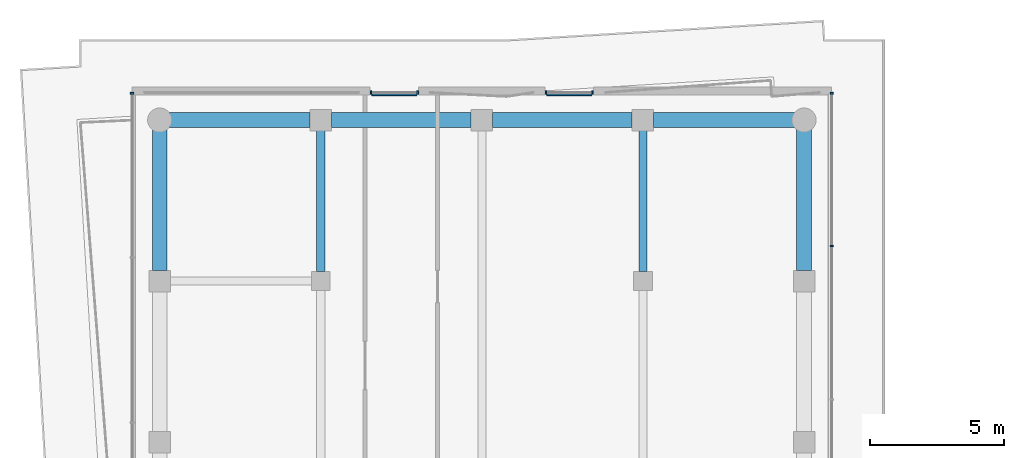
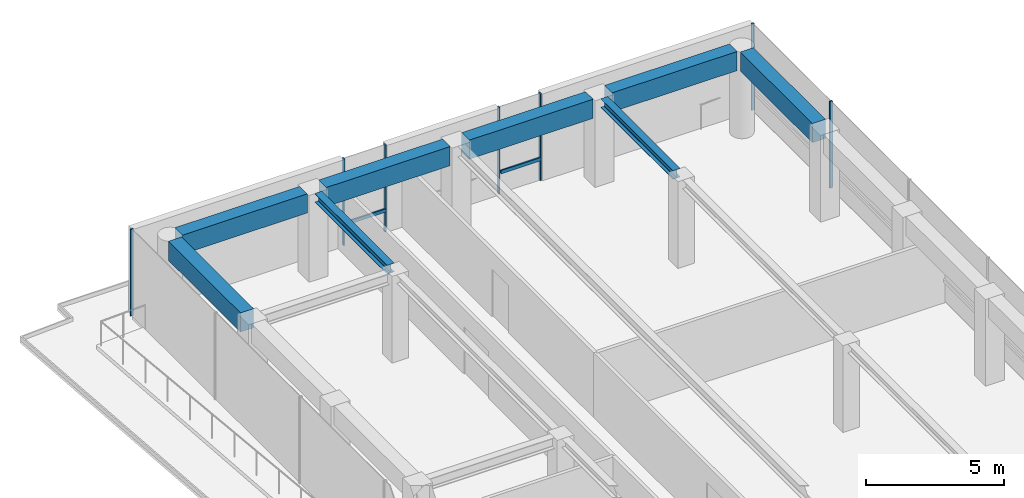
# One storey, part 15 of 21: 9 members, 8 beams, 4 elements without a shape of their own.
"""IFC4 building model written with IfcOpenShell, lengths in metres."""

from ifc_helpers import new_model, si_unit, direction, frame, origin, origin_2d, place, context, subcontext, project, spatial, rectangle, i_section, extrude, material, layer, layer_set, material_profile, profile_set, type_object, element, aggregate, save


model = new_model("IFC4")

# Units and contexts
model_context = context("Model", 3, precision=1e-05, world=origin(), true_north=direction((0.0, 1.0)))
body_context = subcontext(model_context, "Body", "Model", "MODEL_VIEW")
ifc_project = project(units=[si_unit("LENGTHUNIT", "METRE"), si_unit("AREAUNIT", "SQUARE_METRE"), si_unit("VOLUMEUNIT", "CUBIC_METRE"), si_unit("PLANEANGLEUNIT", "RADIAN"), si_unit("MASSUNIT", "GRAM", prefix="KILO")], contexts=[model_context])

# Site, building, storey
site_placement = place(None, origin())
site = spatial("IfcSite", under=ifc_project, at=site_placement, CompositionType="ELEMENT")
building_placement = place(site_placement, origin())
building = spatial("IfcBuilding", under=site, at=building_placement, Name="Welwitschia Terrace Campus", CompositionType="ELEMENT")
storey_placement = place(building_placement, frame((0.0, 0.0, 213.800048828125)))
storey = spatial("IfcBuildingStorey", under=building, at=storey_placement, Name="L47", CompositionType="ELEMENT", Elevation=213.800048828125)

# Beams
ifc_material_1 = material(Name="Steel S355", Category="steel")
ifc_material_profile_1 = material_profile(ifc_material_1, i_section(OverallWidth=0.300048828125, OverallDepth=0.389892578125, WebThickness=0.010986328125, FlangeThickness=0.01904296875, FilletRadius=0.027099609375, at=origin_2d()))
ifc_profile_set_1 = profile_set([ifc_material_profile_1], Name="Steel S355")
beam_type_1 = type_object("IfcBeamType", Name="Interior girder HE 400 A", PredefinedType="BEAM", material=ifc_profile_set_1)
for number, where, z_axis, x_axis, name in (
    (1, (6.0, 64.3505859375, 3.655029296875), (0.0, 1.0, 0.0), (-1.0, 0.0, 0.0), "Girder GB5"),
    (2, (18.0, 64.3505859375, 3.655029296875), (0.0, 1.0, 0.0), (-1.0, 0.0, 0.0), "Girder GB5"),
):
    element("IfcBeam", number, at=place(storey_placement, frame(where, z_axis=z_axis, x_axis=x_axis)), inside=storey, type_object=beam_type_1, Name=name, PredefinedType="BEAM", context=body_context, shape_type="SweptSolid", body=[
        extrude(i_section(OverallWidth=0.300048828125, OverallDepth=0.389892578125, WebThickness=0.010986328125, FlangeThickness=0.01904296875, FilletRadius=0.027099609375, at=origin_2d()), origin(), (0.0, 0.0, 1.0), 5.259033203125),
    ])

# Curtain wall, members
ifc_material_2 = material(Name="Bronze anodised aluminium", Category="aluminium")
ifc_layer = layer(ifc_material_2, 0.1201171875)
ifc_layer_set = layer_set([ifc_layer], Name="Bronze anodised aluminium")
curtain_wall_type = type_object("IfcCurtainWallType", Name="Curtain wall CW2 tower 6000", PredefinedType="NOTDEFINED", material=ifc_layer_set)
curtain_wall_1_placement = place(storey_placement, origin())
curtain_wall_1 = element("IfcCurtainWall", 3, at=curtain_wall_1_placement, inside=storey, type_object=curtain_wall_type, Name="CW L47.6.0", PredefinedType="NOTDEFINED")
ifc_material_3 = material(Name="Bronze anodised aluminium", Category="aluminium")
ifc_material_profile_2 = material_profile(ifc_material_3, rectangle(XDim=0.1201171875, YDim=0.06005859375, at=origin_2d()))
ifc_profile_set_2 = profile_set([ifc_material_profile_2], Name="Bronze anodised aluminium")
member_type_1 = type_object("IfcMemberType", Name="Mullion 60x120", PredefinedType="MULLION", material=ifc_profile_set_2)
member_1_placement = place(storey_placement, frame((25.030029296875, 65.312744140625, 0.0), z_axis=(0.0, 0.0, 1.0), x_axis=(-1.0, 0.0, 0.0)))
member_1 = element("IfcMember", 4, at=member_1_placement, type_object=member_type_1, Name="Mullion L47.6.0.5", PredefinedType="MULLION", context=body_context, shape_type="SweptSolid", body=[
    extrude(rectangle(XDim=0.1201171875, YDim=0.06005859375, at=origin_2d()), origin(), (0.0, 0.0, 1.0), 3.849853515625),
])
member_2_placement = place(storey_placement, frame((25.030029296875, 71.0, 0.0), z_axis=(0.0, 0.0, 1.0), x_axis=(-1.0, 0.0, 0.0)))
member_2 = element("IfcMember", 5, at=member_2_placement, type_object=member_type_1, Name="Mullion L47.6.0.6", PredefinedType="MULLION", context=body_context, shape_type="SweptSolid", body=[
    extrude(rectangle(XDim=0.1201171875, YDim=0.06005859375, at=origin_2d()), origin(), (0.0, 0.0, 1.0), 3.849853515625),
])
aggregate(curtain_wall_1, [member_1, member_2])

curtain_wall_2_placement = place(storey_placement, origin())
curtain_wall_2 = element("IfcCurtainWall", 6, at=curtain_wall_2_placement, inside=storey, type_object=curtain_wall_type, Name="CW L47.7.S0", PredefinedType="NOTDEFINED")
member_3_placement = place(storey_placement, frame((16.12744140625, 71.030029296875, 0.0), z_axis=(0.0, 0.0, 1.0), x_axis=(0.0, -1.0, 0.0)))
member_3 = element("IfcMember", 7, at=member_3_placement, type_object=member_type_1, Name="Mullion L47.7.S0.0", PredefinedType="MULLION", context=body_context, shape_type="SweptSolid", body=[
    extrude(rectangle(XDim=0.1201171875, YDim=0.06005859375, at=origin_2d()), origin(), (0.0, 0.0, 1.0), 3.849853515625),
])
member_4_placement = place(storey_placement, frame((14.387451171875, 71.030029296875, 0.0), z_axis=(0.0, 0.0, 1.0), x_axis=(0.0, -1.0, 0.0)))
member_4 = element("IfcMember", 8, at=member_4_placement, type_object=member_type_1, Name="Mullion L47.7.S0.1", PredefinedType="MULLION", context=body_context, shape_type="SweptSolid", body=[
    extrude(rectangle(XDim=0.1201171875, YDim=0.06005859375, at=origin_2d()), origin(), (0.0, 0.0, 1.0), 3.849853515625),
])

curtain_wall_3_placement = place(storey_placement, origin())
curtain_wall_3 = element("IfcCurtainWall", 9, at=curtain_wall_3_placement, inside=storey, type_object=curtain_wall_type, Name="CW L47.7.S1", PredefinedType="NOTDEFINED")
member_5_placement = place(storey_placement, frame((9.612548828125, 71.030029296875, 0.0), z_axis=(0.0, 0.0, 1.0), x_axis=(0.0, -1.0, 0.0)))
member_5 = element("IfcMember", 10, at=member_5_placement, type_object=member_type_1, Name="Mullion L47.7.S1.0", PredefinedType="MULLION", context=body_context, shape_type="SweptSolid", body=[
    extrude(rectangle(XDim=0.1201171875, YDim=0.06005859375, at=origin_2d()), origin(), (0.0, 0.0, 1.0), 3.849853515625),
])
member_6_placement = place(storey_placement, frame((7.87255859375, 71.030029296875, 0.0), z_axis=(0.0, 0.0, 1.0), x_axis=(0.0, -1.0, 0.0)))
member_6 = element("IfcMember", 11, at=member_6_placement, type_object=member_type_1, Name="Mullion L47.7.S1.1", PredefinedType="MULLION", context=body_context, shape_type="SweptSolid", body=[
    extrude(rectangle(XDim=0.1201171875, YDim=0.06005859375, at=origin_2d()), origin(), (0.0, 0.0, 1.0), 3.849853515625),
])

# Curtain wall, member
curtain_wall_4_placement = place(storey_placement, origin())
curtain_wall_4 = element("IfcCurtainWall", 12, at=curtain_wall_4_placement, inside=storey, type_object=curtain_wall_type, Name="CW L47.8.0", PredefinedType="NOTDEFINED")
member_7_placement = place(storey_placement, frame((-1.030029296875, 71.0, 0.0), z_axis=(0.0, 0.0, 1.0), x_axis=(1.0, 0.0, 0.0)))
member_7 = element("IfcMember", 13, at=member_7_placement, type_object=member_type_1, Name="Mullion L47.8.0.0", PredefinedType="MULLION", context=body_context, shape_type="SweptSolid", body=[
    extrude(rectangle(XDim=0.1201171875, YDim=0.06005859375, at=origin_2d()), origin(), (0.0, 0.0, 1.0), 3.849853515625),
])
aggregate(curtain_wall_4, [member_7])

# Beams
ifc_material_4 = material(Name="Concrete C50/60", Category="concrete")
ifc_material_profile_3 = material_profile(ifc_material_4, rectangle(XDim=0.550048828125, YDim=0.85009765625, at=origin_2d()))
ifc_profile_set_3 = profile_set([ifc_material_profile_3], Name="Concrete C50/60")
beam_type_2 = type_object("IfcBeamType", Name="Ring spandrel 550x850", PredefinedType="SPANDREL", material=ifc_profile_set_3)
for number, where, z_axis, x_axis, name in (
    (14, (24.0, 64.400390625, 3.425048828125), (0.0, 1.0, 0.0), (-1.0, 0.0, 0.0), "Spandrel SP3"),
    (15, (23.64306640625, 70.0, 3.425048828125), (-1.0, 0.0, 0.0), (0.0, -1.0, 0.0), "Spandrel SP3"),
):
    element("IfcBeam", number, at=place(storey_placement, frame(where, z_axis=z_axis, x_axis=x_axis)), inside=storey, type_object=beam_type_2, Name=name, PredefinedType="SPANDREL", context=body_context, shape_type="SweptSolid", body=[
        extrude(rectangle(XDim=0.550048828125, YDim=0.85009765625, at=origin_2d()), origin(), (0.0, 0.0, 1.0), 5.24267578125),
    ])
for number, where, z_axis, x_axis, name in (
    (16, (17.599609375, 70.0, 3.425048828125), (-1.0, 0.0, 0.0), (0.0, -1.0, 0.0), "Spandrel SP3"),
    (17, (11.599609375, 70.0, 3.425048828125), (-1.0, 0.0, 0.0), (0.0, -1.0, 0.0), "Spandrel SP3"),
):
    element("IfcBeam", number, at=place(storey_placement, frame(where, z_axis=z_axis, x_axis=x_axis)), inside=storey, type_object=beam_type_2, Name=name, PredefinedType="SPANDREL", context=body_context, shape_type="SweptSolid", body=[
        extrude(rectangle(XDim=0.550048828125, YDim=0.85009765625, at=origin_2d()), origin(), (0.0, 0.0, 1.0), 5.19921875),
    ])
for number, where, z_axis, x_axis, name in (
    (18, (5.599609375, 70.0, 3.425048828125), (-1.0, 0.0, 0.0), (0.0, -1.0, 0.0), "Spandrel SP3"),
    (19, (0.0, 69.64306640625, 3.425048828125), (0.0, -1.0, 0.0), (1.0, 0.0, 0.0), "Spandrel SP3"),
):
    element("IfcBeam", number, at=place(storey_placement, frame(where, z_axis=z_axis, x_axis=x_axis)), inside=storey, type_object=beam_type_2, Name=name, PredefinedType="SPANDREL", context=body_context, shape_type="SweptSolid", body=[
        extrude(rectangle(XDim=0.550048828125, YDim=0.85009765625, at=origin_2d()), origin(), (0.0, 0.0, 1.0), 5.24267578125),
    ])

# Member
ifc_material_5 = material(Name="Bronze anodised aluminium", Category="aluminium")
ifc_material_profile_4 = material_profile(ifc_material_5, rectangle(XDim=0.06005859375, YDim=0.14990234375, at=origin_2d()))
ifc_profile_set_4 = profile_set([ifc_material_profile_4], Name="Bronze anodised aluminium")
member_type_2 = type_object("IfcMemberType", Name="Transom 60x150", PredefinedType="USERDEFINED", material=ifc_profile_set_4)
member_8_placement = place(storey_placement, frame((16.097412109375, 70.93994140625, 1.0), z_axis=(-1.0, 0.0, 0.0), x_axis=(0.0, -1.0, 0.0)))
member_8 = element("IfcMember", 20, at=member_8_placement, type_object=member_type_2, Name="Transom L47.7.S0", ObjectType="TRANSOM", PredefinedType="USERDEFINED", context=body_context, shape_type="SweptSolid", body=[
    extrude(rectangle(XDim=0.06005859375, YDim=0.14990234375, at=origin_2d()), origin(), (0.0, 0.0, 1.0), 1.679931640625),
])

aggregate(curtain_wall_2, [member_3, member_4, member_8])

member_9_placement = place(storey_placement, frame((9.58251953125, 70.93994140625, 1.0), z_axis=(-1.0, 0.0, 0.0), x_axis=(0.0, -1.0, 0.0)))
member_9 = element("IfcMember", 21, at=member_9_placement, type_object=member_type_2, Name="Transom L47.7.S1", ObjectType="TRANSOM", PredefinedType="USERDEFINED", context=body_context, shape_type="SweptSolid", body=[
    extrude(rectangle(XDim=0.06005859375, YDim=0.14990234375, at=origin_2d()), origin(), (0.0, 0.0, 1.0), 1.679931640625),
])

aggregate(curtain_wall_3, [member_5, member_6, member_9])

save(model, "model.ifc")
